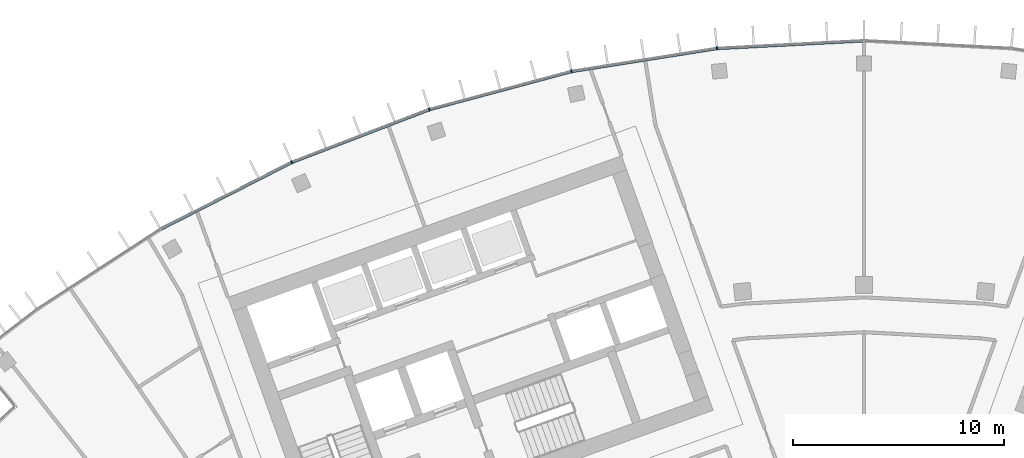
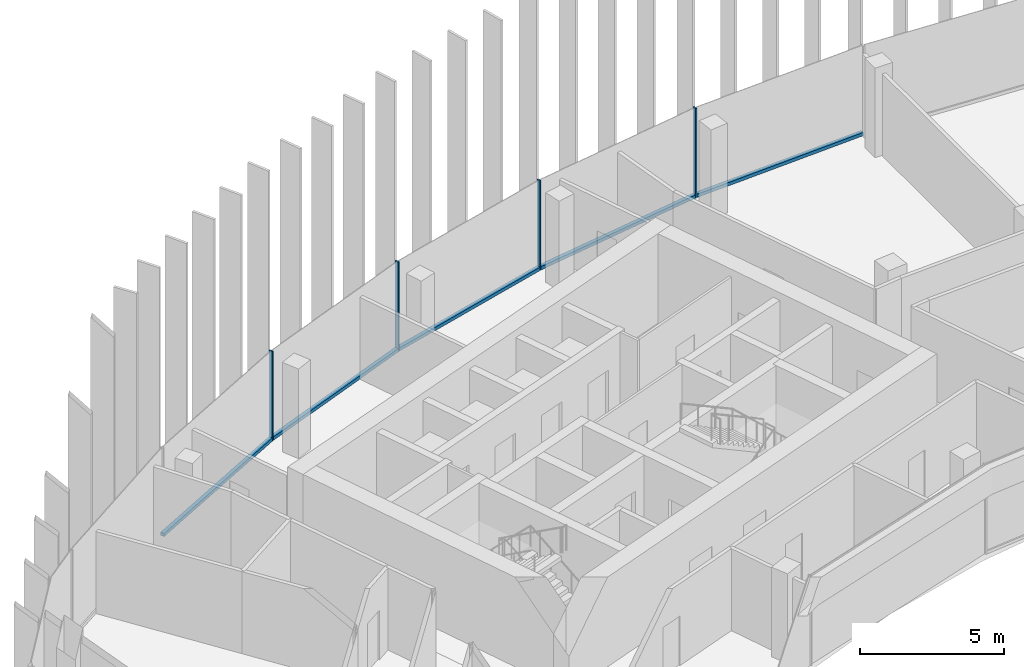
# One storey, part 6 of 19: 9 members, 1 element without a shape of its own.
"""IFC4 building model written with IfcOpenShell, lengths in metres."""

from ifc_helpers import new_model, si_unit, direction, frame, origin, origin_2d, place, context, subcontext, project, spatial, rectangle, extrude, material, layer, layer_set, material_profile, profile_set, type_object, element, aggregate, save


model = new_model("IFC4")

# Units and contexts
model_context = context("Model", 3, precision=1e-05, world=origin(), true_north=direction((0.0, 1.0)))
body_context = subcontext(model_context, "Body", "Model", "MODEL_VIEW")
ifc_project = project(units=[si_unit("LENGTHUNIT", "METRE"), si_unit("AREAUNIT", "SQUARE_METRE"), si_unit("VOLUMEUNIT", "CUBIC_METRE"), si_unit("PLANEANGLEUNIT", "RADIAN"), si_unit("MASSUNIT", "GRAM", prefix="KILO")], contexts=[model_context])

# Site, building, storey
site_placement = place(None, origin())
site = spatial("IfcSite", under=ifc_project, at=site_placement, CompositionType="ELEMENT")
building_placement = place(site_placement, origin())
building = spatial("IfcBuilding", under=site, at=building_placement, Name="Stone Belt Terrace Tower", CompositionType="ELEMENT")
storey_placement = place(building_placement, frame((0.0, 0.0, 258.0)))
storey = spatial("IfcBuildingStorey", under=building, at=storey_placement, Name="L62", CompositionType="ELEMENT", Elevation=258.0)

# Curtain wall, members
ifc_material = material(Name="Aluminium 6063-T6 anodised frame", Category="aluminium")
ifc_layer = layer(ifc_material, 0.14990234375)
ifc_layer_set = layer_set([ifc_layer], Name="CW-A unitised convex-face curtain wall")
curtain_wall_type = type_object("IfcCurtainWallType", Name="CW-A unitised convex-face curtain wall", PredefinedType="NOTDEFINED", material=ifc_layer_set)
curtain_wall_placement = place(storey_placement, origin())
curtain_wall = element("IfcCurtainWall", 1, at=curtain_wall_placement, inside=storey, type_object=curtain_wall_type, Name="CW-A convex face L62", PredefinedType="NOTDEFINED")
ifc_material_profile_1 = material_profile(ifc_material, rectangle(XDim=0.14990234375, YDim=0.06005859375, at=origin_2d()), Name="Aluminium 6063-T6 60x150")
ifc_profile_set_1 = profile_set([ifc_material_profile_1], Name="Aluminium 6063-T6 anodised frame")
member_type_1 = type_object("IfcMemberType", Name="CW-A mullion 60 x 150", PredefinedType="MULLION", material=ifc_profile_set_1)
member_1_placement = place(storey_placement, frame((-6.958984375, 66.21044921875, 0.0), z_axis=(0.0, 0.0, 1.0), x_axis=(0.104528463268, -0.994521895368, 0.0)))
member_1 = element("IfcMember", 2, at=member_1_placement, type_object=member_type_1, Name="CW-A mullion 9", PredefinedType="MULLION", context=body_context, shape_type="SweptSolid", body=[
    extrude(rectangle(XDim=0.14990234375, YDim=0.06005859375, at=origin_2d()), origin(), (0.0, 0.0, 1.0), 3.800048828125),
])
member_2_placement = place(storey_placement, frame((-13.841796875, 65.120361328125, 0.0), z_axis=(0.0, 0.0, 1.0), x_axis=(0.207911690818, -0.978147600734, 0.0)))
member_2 = element("IfcMember", 3, at=member_2_placement, type_object=member_type_1, Name="CW-A mullion 10", PredefinedType="MULLION", context=body_context, shape_type="SweptSolid", body=[
    extrude(rectangle(XDim=0.14990234375, YDim=0.06005859375, at=origin_2d()), origin(), (0.0, 0.0, 1.0), 3.800048828125),
])
member_3_placement = place(storey_placement, frame((-20.57275390625, 63.316650390625, 0.0), z_axis=(0.0, 0.0, 1.0), x_axis=(0.309016994375, -0.951056516295, 0.0)))
member_3 = element("IfcMember", 4, at=member_3_placement, type_object=member_type_1, Name="CW-A mullion 11", PredefinedType="MULLION", context=body_context, shape_type="SweptSolid", body=[
    extrude(rectangle(XDim=0.14990234375, YDim=0.06005859375, at=origin_2d()), origin(), (0.0, 0.0, 1.0), 3.800048828125),
])
member_4_placement = place(storey_placement, frame((-27.07861328125, 60.8193359375, 0.0), z_axis=(0.0, 0.0, 1.0), x_axis=(0.406736643076, -0.913545457643, 0.0)))
member_4 = element("IfcMember", 5, at=member_4_placement, type_object=member_type_1, Name="CW-A mullion 12", PredefinedType="MULLION", context=body_context, shape_type="SweptSolid", body=[
    extrude(rectangle(XDim=0.14990234375, YDim=0.06005859375, at=origin_2d()), origin(), (0.0, 0.0, 1.0), 3.800048828125),
])
ifc_material_profile_2 = material_profile(ifc_material, rectangle(XDim=0.14990234375, YDim=0.139892578125, at=origin_2d()), Name="Aluminium 6063-T6 150x140")
ifc_profile_set_2 = profile_set([ifc_material_profile_2], Name="Aluminium 6063-T6 anodised frame")
member_type_2 = type_object("IfcMemberType", Name="CW-A transom 140 x 150", PredefinedType="USERDEFINED", material=ifc_profile_set_2)
member_5_placement = place(storey_placement, frame((-0.033935546875, 66.5732421875, 0.070068359375), z_axis=(-0.998630019135, -0.052326712899, 0.0), x_axis=(0.052326712899, -0.998630019135, 0.0)))
member_5 = element("IfcMember", 6, at=member_5_placement, type_object=member_type_2, Name="CW-A transom 8.1", ObjectType="TRANSOM", PredefinedType="USERDEFINED", context=body_context, shape_type="SweptSolid", body=[
    extrude(rectangle(XDim=0.14990234375, YDim=0.139892578125, at=origin_2d()), origin(), (0.0, 0.0, 1.0), 6.900634765625),
])
member_6_placement = place(storey_placement, frame((-6.992431640625, 66.205078125, 0.070068359375), z_axis=(-0.987687120531, -0.156442168027, 0.0), x_axis=(0.156442168027, -0.987687120531, 0.0)))
member_6 = element("IfcMember", 7, at=member_6_placement, type_object=member_type_2, Name="CW-A transom 9.1", ObjectType="TRANSOM", PredefinedType="USERDEFINED", context=body_context, shape_type="SweptSolid", body=[
    extrude(rectangle(XDim=0.14990234375, YDim=0.139892578125, at=origin_2d()), origin(), (0.0, 0.0, 1.0), 6.90087890625),
])
member_7_placement = place(storey_placement, frame((-13.87451171875, 65.111572265625, 0.070068359375), z_axis=(-0.965921835863, -0.258833937117, 0.0), x_axis=(0.258833937117, -0.965921835863, 0.0)))
member_7 = element("IfcMember", 8, at=member_7_placement, type_object=member_type_2, Name="CW-A transom 10.1", ObjectType="TRANSOM", PredefinedType="USERDEFINED", context=body_context, shape_type="SweptSolid", body=[
    extrude(rectangle(XDim=0.14990234375, YDim=0.139892578125, at=origin_2d()), origin(), (0.0, 0.0, 1.0), 6.900634765625),
])
member_8_placement = place(storey_placement, frame((-20.6044921875, 63.304443359375, 0.070068359375), z_axis=(-0.933585210269, -0.358355487146, 0.0), x_axis=(0.358355487146, -0.933585210269, 0.0)))
member_8 = element("IfcMember", 9, at=member_8_placement, type_object=member_type_2, Name="CW-A transom 11.1", ObjectType="TRANSOM", PredefinedType="USERDEFINED", context=body_context, shape_type="SweptSolid", body=[
    extrude(rectangle(XDim=0.14990234375, YDim=0.139892578125, at=origin_2d()), origin(), (0.0, 0.0, 1.0), 6.900634765625),
])
member_9_placement = place(storey_placement, frame((-27.108642578125, 60.803955078125, 0.070068359375), z_axis=(-0.891012226264, -0.453979308613, 0.0), x_axis=(0.453979308613, -0.891012226264, 0.0)))
member_9 = element("IfcMember", 10, at=member_9_placement, type_object=member_type_2, Name="CW-A transom 12.1", ObjectType="TRANSOM", PredefinedType="USERDEFINED", context=body_context, shape_type="SweptSolid", body=[
    extrude(rectangle(XDim=0.14990234375, YDim=0.139892578125, at=origin_2d()), origin(), (0.0, 0.0, 1.0), 6.90087890625),
])
aggregate(curtain_wall, [member_1, member_2, member_3, member_4, member_5, member_6, member_7, member_8, member_9])

save(model, "model.ifc")
